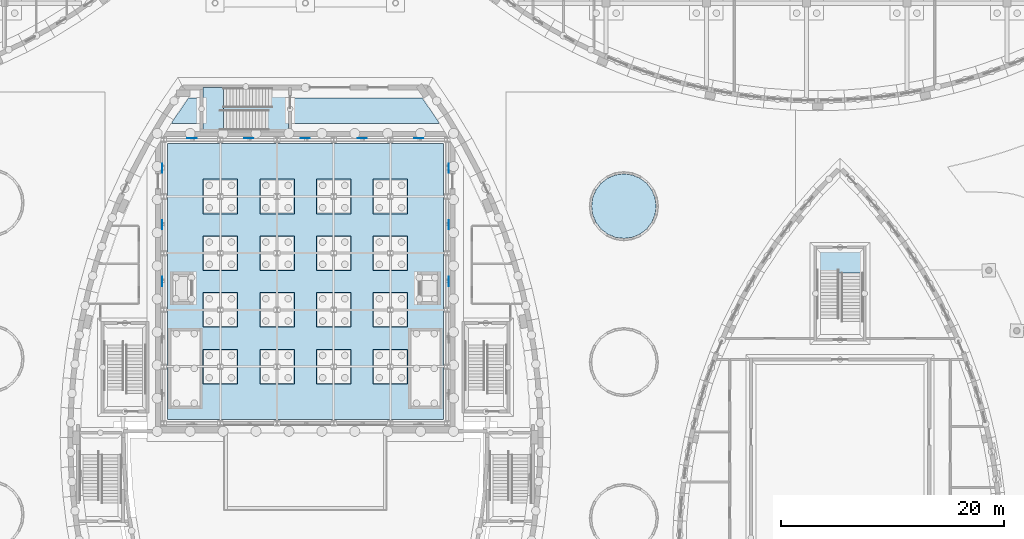
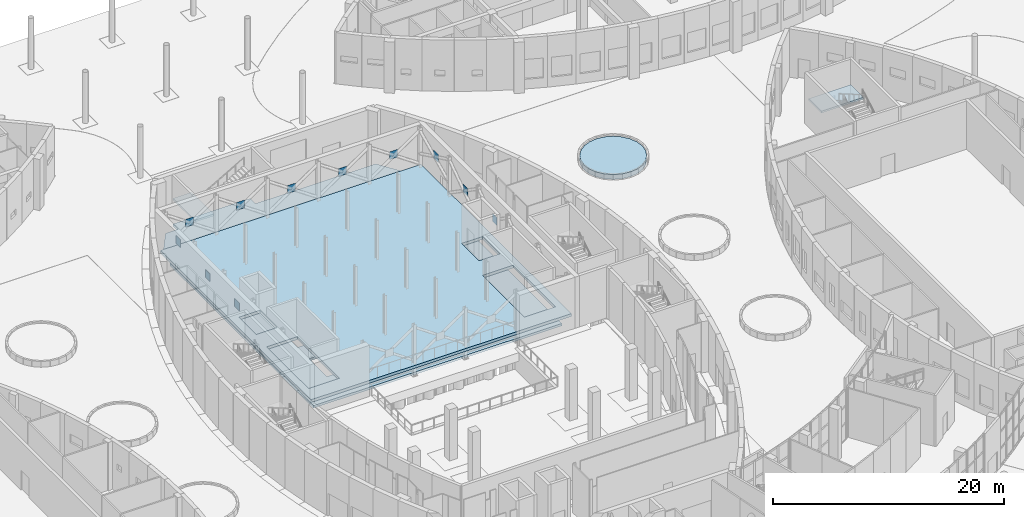
# One storey, part 38 of 82: 11 plates, 6 slabs, 2 elements without a shape of their own.
"""IFC4 building model written with IfcOpenShell, lengths in metres."""

from ifc_helpers import new_model, si_unit, direction, frame, origin, origin_2d, place, context, subcontext, project, spatial, polyline, rectangle, outline, extrude, material, layer, layer_set, type_object, element, aggregate, save


model = new_model("IFC4")

# Units and contexts
model_context = context("Model", 3, precision=1e-05, world=origin(), true_north=direction((0.0, 1.0)))
body_context = subcontext(model_context, "Body", "Model", "MODEL_VIEW")
ifc_project = project(units=[si_unit("LENGTHUNIT", "METRE"), si_unit("AREAUNIT", "SQUARE_METRE"), si_unit("VOLUMEUNIT", "CUBIC_METRE"), si_unit("PLANEANGLEUNIT", "RADIAN"), si_unit("MASSUNIT", "GRAM", prefix="KILO")], contexts=[model_context])

# Site, building, storey
site_placement = place(None, origin())
site = spatial("IfcSite", under=ifc_project, at=site_placement, CompositionType="ELEMENT")
building_placement = place(site_placement, origin())
building = spatial("IfcBuilding", under=site, at=building_placement, Name="Tide Square Theatres", CompositionType="ELEMENT")
storey_placement = place(building_placement, origin())
storey = spatial("IfcBuildingStorey", under=building, at=storey_placement, Name="L00", CompositionType="ELEMENT", Elevation=0.0)

# Slabs
ifc_material_1 = material(Name="Topsoil on drainage layer")
ifc_layer_1 = layer(ifc_material_1, 0.5)
ifc_layer_set_1 = layer_set([ifc_layer_1], Name="Topsoil on drainage layer")
slab_type_1 = type_object("IfcSlabType", Name="Planting bed 500", PredefinedType="USERDEFINED", material=ifc_layer_set_1)
slab_1_placement = place(storey_placement, frame((0.0, 0.0, -0.050048828125)))
element("IfcSlab", 1, at=slab_1_placement, inside=storey, type_object=slab_type_1, Name="Planting bed", ObjectType="PLANTING BED", PredefinedType="USERDEFINED", context=body_context, shape_type="SweptSolid", body=[
    extrude(outline(polyline([(115.393310546875, 76.51708984375), (115.103515625, 77.21630859375), (114.642822265625, 77.81689453125), (114.04248046875, 78.277587890625), (113.34326171875, 78.567138671875), (112.593017578125, 78.666015625), (111.842529296875, 78.567138671875), (111.143310546875, 78.277587890625), (110.54296875, 77.81689453125), (110.082275390625, 77.21630859375), (109.79248046875, 76.51708984375), (109.69384765625, 75.766845703125), (109.79248046875, 75.016357421875), (110.082275390625, 74.317138671875), (110.54296875, 73.716796875), (111.143310546875, 73.256103515625), (111.842529296875, 72.96630859375), (112.593017578125, 72.86767578125), (113.34326171875, 72.96630859375), (114.04248046875, 73.256103515625), (114.642822265625, 73.716796875), (115.103515625, 74.317138671875), (115.393310546875, 75.016357421875), (115.491943359375, 75.766845703125), (115.393310546875, 76.51708984375)])), origin(), (0.0, 0.0, 1.0), 0.5),
])
ifc_material_2 = material(Name="Concrete C35", Category="concrete")
ifc_layer_2 = layer(ifc_material_2, 0.25)
ifc_layer_set_2 = layer_set([ifc_layer_2], Name="Concrete C35")
slab_type_2 = type_object("IfcSlabType", Name="RC baseslab slab 250", PredefinedType="BASESLAB", material=ifc_layer_set_2)
slab_2_placement = place(storey_placement, frame((0.0, 0.0, -0.25)))
element("IfcSlab", 2, at=slab_2_placement, inside=storey, type_object=slab_type_2, Name="Ground slab", PredefinedType="BASESLAB", context=body_context, shape_type="SweptSolid", body=[
    extrude(outline(polyline([(96.021484375, 83.199951171875), (95.832275390625, 83.514404296875), (94.48486328125, 85.492431640625), (82.5, 85.492431640625), (82.5, 86.39990234375), (74.800048828125, 86.39990234375), (74.800048828125, 85.492431640625), (73.51513671875, 85.492431640625), (72.167724609375, 83.514404296875), (71.978515625, 83.199951171875), (74.800048828125, 83.199951171875), (74.800048828125, 82.60009765625), (82.5, 82.60009765625), (82.5, 83.199951171875), (96.021484375, 83.199951171875)])), origin(), (0.0, 0.0, 1.0), 0.25),
])
slab_3_placement = place(storey_placement, frame((0.0, 0.0, -0.25)))
element("IfcSlab", 3, at=slab_3_placement, inside=storey, type_object=slab_type_2, Name="Ground slab", PredefinedType="BASESLAB", context=body_context, shape_type="SweptSolid", body=[
    extrude(outline(polyline([(71.60009765625, 81.39990234375), (71.60009765625, 56.60009765625), (96.39990234375, 56.60009765625), (96.39990234375, 81.39990234375), (71.60009765625, 81.39990234375)]), holes=[polyline([(74.815673828125, 59.815673828125), (77.91552734375, 59.815673828125), (77.91552734375, 62.91552734375), (74.815673828125, 62.91552734375), (74.815673828125, 59.815673828125)]), polyline([(74.815673828125, 68.005126953125), (74.815673828125, 64.9052734375), (77.91552734375, 64.9052734375), (77.91552734375, 68.005126953125), (74.815673828125, 68.005126953125)]), polyline([(77.91552734375, 73.0947265625), (74.815673828125, 73.0947265625), (74.815673828125, 69.994873046875), (77.91552734375, 69.994873046875), (77.91552734375, 73.0947265625)]), polyline([(77.91552734375, 75.08447265625), (77.91552734375, 78.184326171875), (74.815673828125, 78.184326171875), (74.815673828125, 75.08447265625), (77.91552734375, 75.08447265625)]), polyline([(79.9052734375, 59.815673828125), (83.005126953125, 59.815673828125), (83.005126953125, 62.91552734375), (79.9052734375, 62.91552734375), (79.9052734375, 59.815673828125)]), polyline([(79.9052734375, 68.005126953125), (79.9052734375, 64.9052734375), (83.005126953125, 64.9052734375), (83.005126953125, 68.005126953125), (79.9052734375, 68.005126953125)]), polyline([(83.005126953125, 73.0947265625), (79.9052734375, 73.0947265625), (79.9052734375, 69.994873046875), (83.005126953125, 69.994873046875), (83.005126953125, 73.0947265625)]), polyline([(83.005126953125, 75.08447265625), (83.005126953125, 78.184326171875), (79.9052734375, 78.184326171875), (79.9052734375, 75.08447265625), (83.005126953125, 75.08447265625)]), polyline([(84.994873046875, 59.815673828125), (88.0947265625, 59.815673828125), (88.0947265625, 62.91552734375), (84.994873046875, 62.91552734375), (84.994873046875, 59.815673828125)]), polyline([(84.994873046875, 68.005126953125), (84.994873046875, 64.9052734375), (88.0947265625, 64.9052734375), (88.0947265625, 68.005126953125), (84.994873046875, 68.005126953125)]), polyline([(88.0947265625, 73.0947265625), (84.994873046875, 73.0947265625), (84.994873046875, 69.994873046875), (88.0947265625, 69.994873046875), (88.0947265625, 73.0947265625)]), polyline([(88.0947265625, 75.08447265625), (88.0947265625, 78.184326171875), (84.994873046875, 78.184326171875), (84.994873046875, 75.08447265625), (88.0947265625, 75.08447265625)]), polyline([(90.08447265625, 59.815673828125), (93.184326171875, 59.815673828125), (93.184326171875, 62.91552734375), (90.08447265625, 62.91552734375), (90.08447265625, 59.815673828125)]), polyline([(90.08447265625, 68.005126953125), (90.08447265625, 64.9052734375), (93.184326171875, 64.9052734375), (93.184326171875, 68.005126953125), (90.08447265625, 68.005126953125)]), polyline([(93.184326171875, 73.0947265625), (90.08447265625, 73.0947265625), (90.08447265625, 69.994873046875), (93.184326171875, 69.994873046875), (93.184326171875, 73.0947265625)]), polyline([(93.184326171875, 75.08447265625), (93.184326171875, 78.184326171875), (90.08447265625, 78.184326171875), (90.08447265625, 75.08447265625), (93.184326171875, 75.08447265625)])]), origin(), (0.0, 0.0, 1.0), 0.25),
])
ifc_material_3 = material(Name="Concrete C35", Category="concrete")
ifc_layer_3 = layer(ifc_material_3, 0.300048828125)
ifc_layer_set_3 = layer_set([ifc_layer_3], Name="Concrete C35")
slab_type_3 = type_object("IfcSlabType", Name="RC floor slab 300", PredefinedType="FLOOR", material=ifc_layer_set_3)
slab_4_placement = place(storey_placement, frame((0.0, 0.0, 0.89990234375)))
element("IfcSlab", 4, at=slab_4_placement, inside=storey, type_object=slab_type_3, Name="Stage floor slab", PredefinedType="FLOOR", context=body_context, shape_type="SweptSolid", body=[
    extrude(outline(polyline([(97.0, 56.0), (97.0, 82.0), (71.0, 82.0), (71.0, 56.0), (97.0, 56.0)]), holes=[polyline([(71.676025390625, 57.575927734375), (74.77587890625, 57.575927734375), (74.77587890625, 64.825927734375), (71.676025390625, 64.825927734375), (71.676025390625, 57.575927734375)]), polyline([(93.22412109375, 57.575927734375), (96.323974609375, 57.575927734375), (96.323974609375, 64.825927734375), (93.22412109375, 64.825927734375), (93.22412109375, 57.575927734375)]), polyline([(71.825927734375, 66.89990234375), (73.926025390625, 66.89990234375), (73.926025390625, 69.89990234375), (71.825927734375, 69.89990234375), (71.825927734375, 66.89990234375)]), polyline([(94.073974609375, 66.89990234375), (96.174072265625, 66.89990234375), (96.174072265625, 69.89990234375), (94.073974609375, 69.89990234375), (94.073974609375, 66.89990234375)])]), origin(), (0.0, 0.0, 1.0), 0.300048828125),
])

# Stair, slab
ifc_material_4 = material(Name="Concrete C35", Category="concrete")
stair_type_1 = type_object("IfcStairType", Name="Stair half turn 1800 wide, 32 risers, rise 5400", PredefinedType="HALF_TURN_STAIR", material=ifc_material_4)
stair_1_placement = place(storey_placement, origin())
stair_1 = element("IfcStair", 5, at=stair_1_placement, inside=storey, type_object=stair_type_1, Name="Main Theatre North Stair", PredefinedType="HALF_TURN_STAIR")
ifc_material_5 = material(Name="Concrete C35", Category="concrete")
ifc_layer_4 = layer(ifc_material_5, 0.199951171875)
ifc_layer_set_4 = layer_set([ifc_layer_4], Name="Concrete C35")
slab_type_4 = type_object("IfcSlabType", Name="RC landing slab 200", PredefinedType="LANDING", material=ifc_layer_set_4)
slab_5_placement = place(storey_placement, frame((0.0, 0.0, 2.5)))
slab_5 = element("IfcSlab", 6, at=slab_5_placement, type_object=slab_type_4, Name="ST-1800-5400 landing 1", PredefinedType="LANDING", context=body_context, shape_type="SweptSolid", body=[
    extrude(outline(polyline([(76.64990234375, 86.39990234375), (74.800048828125, 86.39990234375), (74.800048828125, 82.60009765625), (76.64990234375, 82.60009765625), (76.64990234375, 86.39990234375)])), origin(), (0.0, 0.0, 1.0), 0.199951171875),
])
aggregate(stair_1, [slab_5])

ifc_material_6 = material(Name="Concrete C35", Category="concrete")
stair_type_2 = type_object("IfcStairType", Name="Stair half turn 2000 wide, 32 risers, rise 5400", PredefinedType="HALF_TURN_STAIR", material=ifc_material_6)
stair_2_placement = place(storey_placement, origin())
stair_2 = element("IfcStair", 7, at=stair_2_placement, inside=storey, type_object=stair_type_2, Name="Black Box Theatre Stair B1", PredefinedType="HALF_TURN_STAIR")
slab_6_placement = place(storey_placement, frame((0.0, 0.0, 2.5)))
slab_6 = element("IfcSlab", 8, at=slab_6_placement, type_object=slab_type_4, Name="ST-2000-5400 landing 1", PredefinedType="LANDING", context=body_context, shape_type="SweptSolid", body=[
    extrude(outline(polyline([(134.10009765625, 69.75), (134.10009765625, 71.949951171875), (129.89990234375, 71.949951171875), (129.89990234375, 69.75), (134.10009765625, 69.75)])), origin(), (0.0, 0.0, 1.0), 0.199951171875),
])
aggregate(stair_2, [slab_6])

# Plates
ifc_material_7 = material(Name="Steel ASTM A572 Grade 50", Category="steel")
ifc_layer_5 = layer(ifc_material_7, 0.010009765625)
ifc_layer_set_5 = layer_set([ifc_layer_5], Name="Steel ASTM A572 Grade 50")
plate_type = type_object("IfcPlateType", Name="Steel end plate 10 thick", PredefinedType="USERDEFINED", material=ifc_layer_set_5)
for number, where, z_axis, x_axis, name in (
    (9, (73.82080078125, 81.863525390625, 2.890625), (0.0, 0.0, 1.0), (0.0, 1.0, 0.0), "Fly tower brace crossing node plate"),
    (10, (78.910400390625, 81.863525390625, 2.890625), (0.0, 0.0, 1.0), (0.0, 1.0, 0.0), "Fly tower brace crossing node plate"),
    (11, (84.0, 81.863525390625, 2.890625), (0.0, 0.0, 1.0), (0.0, 1.0, 0.0), "Fly tower brace crossing node plate"),
    (12, (89.089599609375, 81.863525390625, 2.890625), (0.0, 0.0, 1.0), (0.0, 1.0, 0.0), "Fly tower brace crossing node plate"),
    (13, (94.17919921875, 81.863525390625, 2.890625), (0.0, 0.0, 1.0), (0.0, 1.0, 0.0), "Fly tower brace crossing node plate"),
    (14, (71.136474609375, 69.0, 2.890625), (0.0, 0.0, 1.0), (-1.0, 0.0, 0.0), "Fly tower brace crossing node plate"),
    (15, (71.136474609375, 74.089599609375, 2.890625), (0.0, 0.0, 1.0), (-1.0, 0.0, 0.0), "Fly tower brace crossing node plate"),
    (16, (71.136474609375, 79.17919921875, 3.41552734375), (0.0, 0.0, 1.0), (-1.0, 0.0, 0.0), "Fly tower brace crossing node plate"),
    (17, (96.863525390625, 69.0, 2.890625), (0.0, 0.0, 1.0), (1.0, 0.0, 0.0), "Fly tower brace crossing node plate"),
    (18, (96.863525390625, 74.089599609375, 2.890625), (0.0, 0.0, 1.0), (1.0, 0.0, 0.0), "Fly tower brace crossing node plate"),
    (19, (96.863525390625, 79.17919921875, 3.41552734375), (0.0, 0.0, 1.0), (1.0, 0.0, 0.0), "Fly tower brace crossing node plate"),
):
    element("IfcPlate", number, at=place(storey_placement, frame(where, z_axis=z_axis, x_axis=x_axis)), inside=storey, type_object=plate_type, Name=name, ObjectType="END PLATE", PredefinedType="USERDEFINED", context=body_context, shape_type="SweptSolid", body=[
        extrude(rectangle(XDim=0.010009765625, YDim=0.819091796875, at=origin_2d()), origin(), (0.0, 0.0, 1.0), 0.819091796875),
    ])

save(model, "model.ifc")
